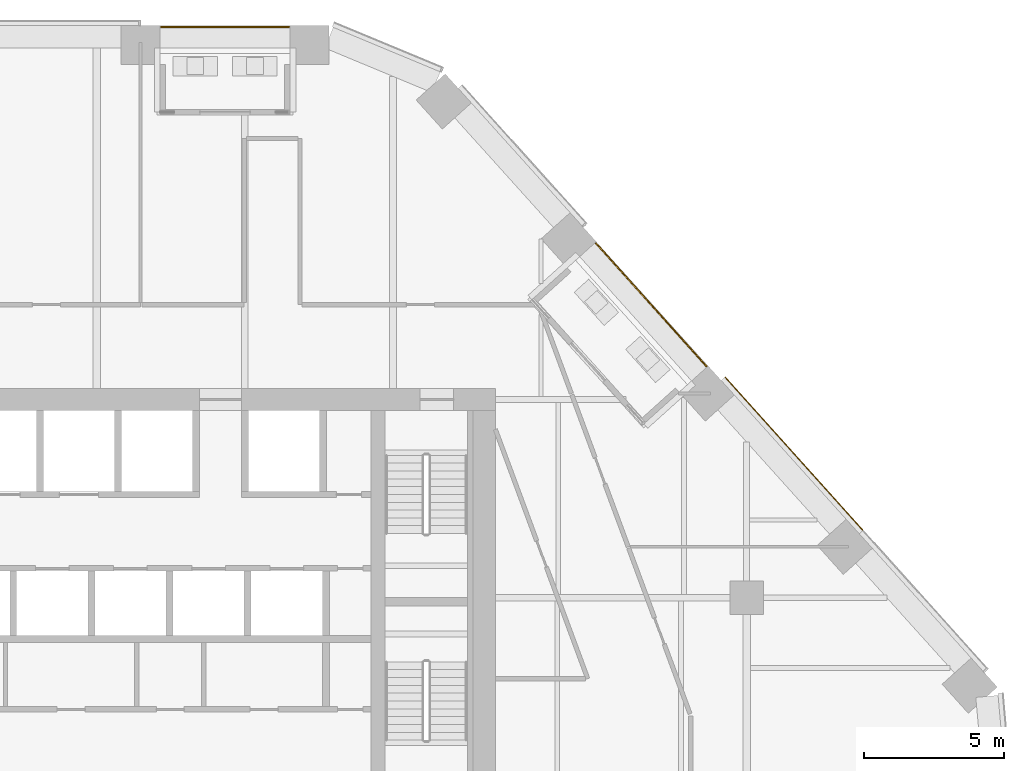
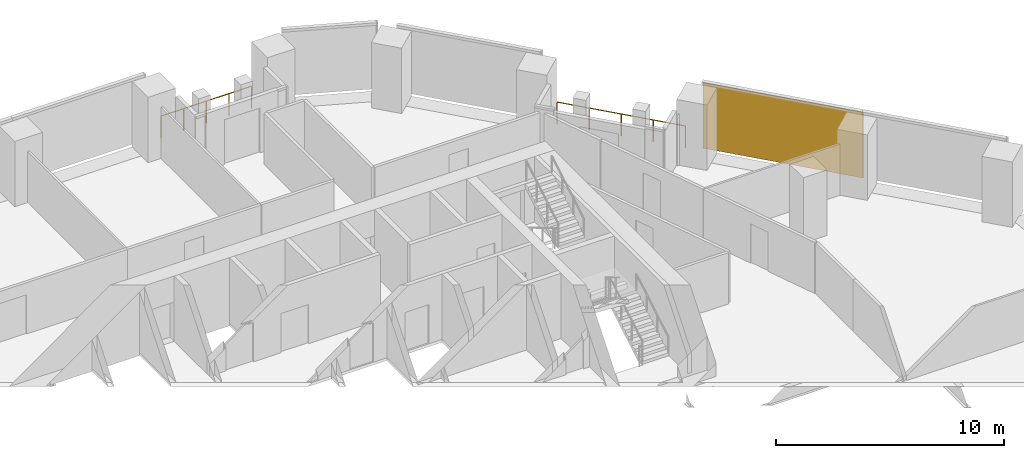
# One storey, part 23 of 24: 2 railings, 1 covering, 1 element without a shape of its own.
"""IFC4 building model written with IfcOpenShell, lengths in metres."""

from ifc_helpers import new_model, si_unit, direction, frame, origin, origin_2d, place, context, subcontext, project, spatial, rectangle, circle, extrude, material, layer, layer_set, type_object, element, aggregate, save


model = new_model("IFC4")

# Units and contexts
model_context = context("Model", 3, precision=1e-05, world=origin(), true_north=direction((0.0, 1.0)))
body_context = subcontext(model_context, "Body", "Model", "MODEL_VIEW")
ifc_project = project(units=[si_unit("LENGTHUNIT", "METRE"), si_unit("AREAUNIT", "SQUARE_METRE"), si_unit("VOLUMEUNIT", "CUBIC_METRE"), si_unit("PLANEANGLEUNIT", "RADIAN"), si_unit("MASSUNIT", "GRAM", prefix="KILO")], contexts=[model_context])

# Site, building, storey
site_placement = place(None, origin())
site = spatial("IfcSite", under=ifc_project, at=site_placement, CompositionType="ELEMENT")
building_placement = place(site_placement, origin())
building = spatial("IfcBuilding", under=site, at=building_placement, Name="Isthmus Gate Tower", CompositionType="ELEMENT")
storey_placement = place(building_placement, frame((0.0, 0.0, 159.0)))
storey = spatial("IfcBuildingStorey", under=building, at=storey_placement, Name="L39", CompositionType="ELEMENT", Elevation=159.0)

# Curtain wall, covering
ifc_material_1 = material(Name="Aluminium, pale champagne anodised", Category="aluminium")
ifc_layer_1 = layer(ifc_material_1, 0.199951171875)
ifc_layer_set_1 = layer_set([ifc_layer_1], Name="CW-1 UNITISED CURTAIN WALL 200 DEEP")
curtain_wall_type = type_object("IfcCurtainWallType", Name="CW-1 UNITISED CURTAIN WALL 200 DEEP", PredefinedType="NOTDEFINED", material=ifc_layer_set_1)
curtain_wall_placement = place(storey_placement, origin())
curtain_wall = element("IfcCurtainWall", 1, at=curtain_wall_placement, inside=storey, type_object=curtain_wall_type, Name="CW-1 NE L39", PredefinedType="NOTDEFINED")
ifc_material_2 = material(Name="Aluminium composite panel, pale champagne anodised", Category="aluminium")
ifc_layer_2 = layer(ifc_material_2, 0.035888671875)
ifc_layer_set_2 = layer_set([ifc_layer_2], Name="CW-1 PALE METAL PANEL 36")
covering_type = type_object("IfcCoveringType", Name="CW-1 PALE METAL PANEL 36", PredefinedType="CLADDING", material=ifc_layer_set_2)
covering_placement = place(storey_placement, frame((25.70068359375, 12.659423828125, 0.0), z_axis=(0.0, 0.0, 1.0), x_axis=(-0.669130606359, 0.743144825477, 0.0)))
covering = element("IfcCovering", 2, at=covering_placement, type_object=covering_type, Name="CW-1 pale metal panel", PredefinedType="CLADDING", context=body_context, shape_type="SweptSolid", body=[
    extrude(rectangle(XDim=7.390869140625, YDim=0.035888671875, at=origin_2d()), origin(), (0.0, 0.0, 1.0), 3.510009765625),
])
aggregate(curtain_wall, [covering])

# Railings
ifc_material_3 = material(Name="Toughened laminated glass with stainless steel posts", Category="steel")
railing_type = type_object("IfcRailingType", Name="GUARD 1200 FRAMELESS GLASS", PredefinedType="GUARDRAIL", material=ifc_material_3)
railing_1_placement = place(storey_placement, frame((7.5986328125, 27.949951171875, 0.0)))
element("IfcRailing", 3, at=railing_1_placement, inside=storey, type_object=railing_type, Name="LOGGIA GUARD", PredefinedType="GUARDRAIL", context=body_context, shape_type="SweptSolid", body=[
    extrude(circle(Radius=0.02490234375, at=origin_2d()), frame((0.0, 0.0, 1.1748046875), z_axis=(-1.0, 0.0, 0.0), x_axis=(0.0, -1.0, 0.0)), (0.0, 0.0, 1.0), 4.5703125),
    extrude(circle(Radius=0.02490234375, at=origin_2d()), origin(), (0.0, 0.0, 1.0), 1.14990234375),
    extrude(circle(Radius=0.02490234375, at=origin_2d()), frame((-1.142578125, 0.0, 0.0)), (0.0, 0.0, 1.0), 1.14990234375),
    extrude(circle(Radius=0.02490234375, at=origin_2d()), frame((-2.28515625, 0.0, 0.0)), (0.0, 0.0, 1.0), 1.14990234375),
    extrude(circle(Radius=0.02490234375, at=origin_2d()), frame((-3.427734375, 0.0, 0.0)), (0.0, 0.0, 1.0), 1.14990234375),
    extrude(circle(Radius=0.02490234375, at=origin_2d()), frame((-4.5703125, 0.0, 0.0)), (0.0, 0.0, 1.0), 1.14990234375),
])
railing_2_placement = place(storey_placement, frame((22.560302734375, 15.800537109375, 0.0)))
element("IfcRailing", 4, at=railing_2_placement, inside=storey, type_object=railing_type, Name="LOGGIA GUARD", PredefinedType="GUARDRAIL", context=body_context, shape_type="SweptSolid", body=[
    extrude(circle(Radius=0.02490234375, at=origin_2d()), frame((0.0, 0.0, 1.1748046875), z_axis=(-0.669129019519, 0.743146254271, 0.0), x_axis=(-0.743146254271, -0.669129019519, 0.0)), (0.0, 0.0, 1.0), 5.910888671875),
    extrude(circle(Radius=0.02490234375, at=origin_2d()), origin(), (0.0, 0.0, 1.0), 1.14990234375),
    extrude(circle(Radius=0.02490234375, at=origin_2d()), frame((-0.98876953125, 1.09814453125, 0.0)), (0.0, 0.0, 1.0), 1.14990234375),
    extrude(circle(Radius=0.02490234375, at=origin_2d()), frame((-1.9775390625, 2.1962890625, 0.0)), (0.0, 0.0, 1.0), 1.14990234375),
    extrude(circle(Radius=0.02490234375, at=origin_2d()), frame((-2.96630859375, 3.29443359375, 0.0)), (0.0, 0.0, 1.0), 1.14990234375),
    extrude(circle(Radius=0.02490234375, at=origin_2d()), frame((-3.955078125, 4.392578125, 0.0)), (0.0, 0.0, 1.0), 1.14990234375),
])

save(model, "model.ifc")
